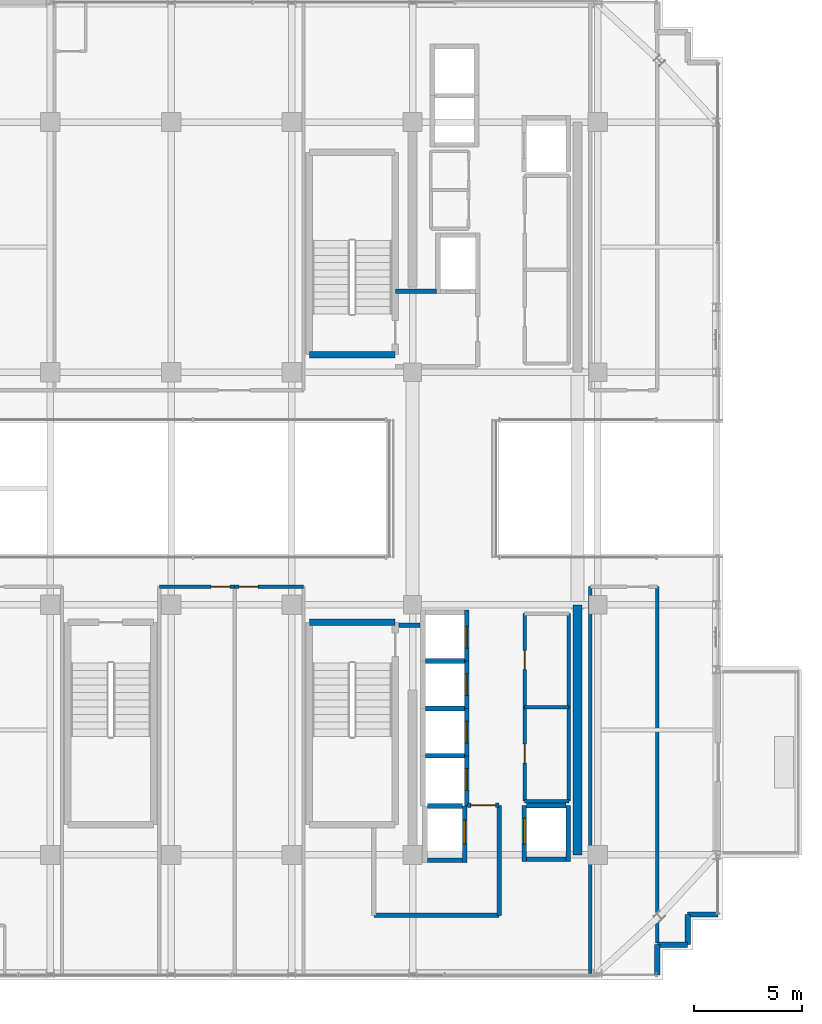
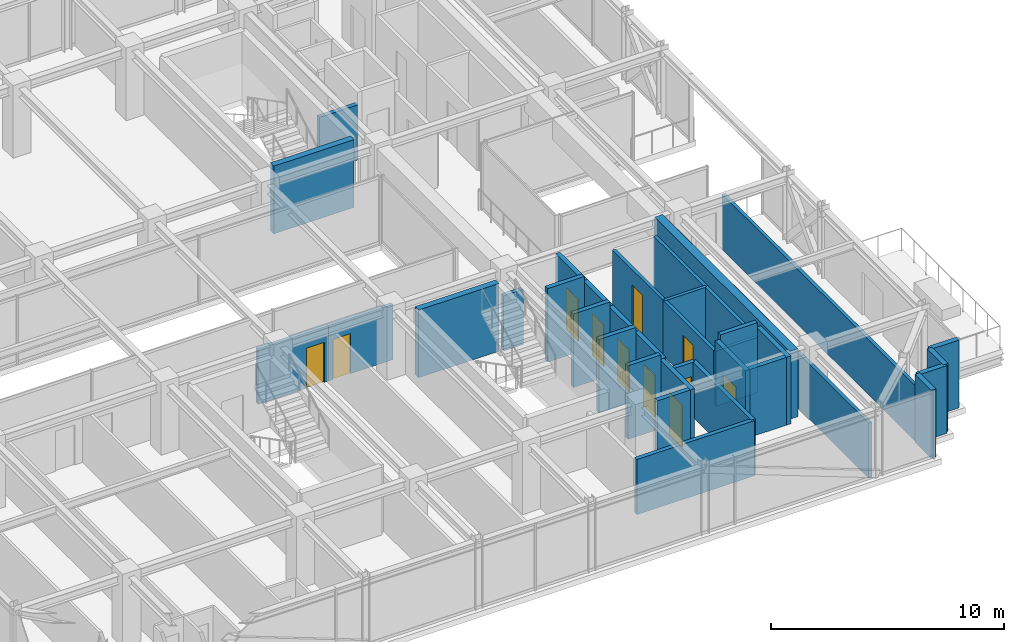
# One storey, part 33 of 39: 36 walls, 11 doors, 11 openings.
"""IFC4 building model written with IfcOpenShell, lengths in metres."""

from ifc_helpers import new_model, si_unit, direction, frame, frame_2d, origin, place, context, subcontext, project, spatial, rectangle, extrude, source, transform, mapped, material, layer, layer_set, type_object, element, fill, save


model = new_model("IFC4")

# Units and contexts
model_context = context("Model", 3, precision=1e-05, world=origin(), true_north=direction((0.0, 1.0)))
body_context = subcontext(model_context, "Body", "Model", "MODEL_VIEW")
ifc_project = project(units=[si_unit("LENGTHUNIT", "METRE"), si_unit("AREAUNIT", "SQUARE_METRE"), si_unit("VOLUMEUNIT", "CUBIC_METRE"), si_unit("PLANEANGLEUNIT", "RADIAN"), si_unit("MASSUNIT", "GRAM", prefix="KILO")], contexts=[model_context])

# Site, building, storey
site_placement = place(None, origin())
site = spatial("IfcSite", under=ifc_project, at=site_placement, CompositionType="ELEMENT")
building_placement = place(site_placement, origin())
building = spatial("IfcBuilding", under=site, at=building_placement, Name="Nahalor Promenade Grand Hotel", CompositionType="ELEMENT")
storey_placement = place(building_placement, frame((0.0, 0.0, 311.89990234375)))
storey = spatial("IfcBuildingStorey", under=building, at=storey_placement, Name="L80", CompositionType="ELEMENT", Elevation=311.89990234375)

# Walls
ifc_material_1 = material(Name="Concrete B-50 (C40/50)", Category="concrete")
ifc_layer_1 = layer(ifc_material_1, 0.39990234375)
ifc_layer_set_1 = layer_set([ifc_layer_1], Name="Concrete B-50 (C40/50)")
wall_type_1 = type_object("IfcWallType", Name="Wall-CoreShear-400", PredefinedType="SHEAR", material=ifc_layer_set_1)
shared_shape_1 = source(origin(), body_context, "Body", "SweptSolid", [
    extrude(rectangle(XDim=11.60009765625, YDim=0.39990234375, at=frame_2d((5.800048828125, 0.0))), origin(), (0.0, 0.0, 1.0), 3.550048828125),
])
wall_1_placement = place(storey_placement, frame((16.050048828125, -17.0, 0.0), z_axis=(0.0, 0.0, 1.0), x_axis=(0.0, 1.0, 0.0)))
element("IfcWall", 1, at=wall_1_placement, inside=storey, type_object=wall_type_1, Name="CWALL-L80-SE", PredefinedType="SHEAR", context=body_context, shape_type="MappedRepresentation", body=[
    mapped(shared_shape_1, transform((0.0, 0.0, 0.0), scale=1.0)),
])
ifc_layer_2 = layer(ifc_material_1, 0.300048828125)
ifc_layer_set_2 = layer_set([ifc_layer_2], Name="Concrete B-50 (C40/50)")
wall_type_2 = type_object("IfcWallType", Name="Wall-ShaftShear-300", PredefinedType="SHEAR", material=ifc_layer_set_2)
shared_shape_2 = source(origin(), body_context, "Body", "SweptSolid", [
    extrude(rectangle(XDim=3.97998046875, YDim=0.300048828125, at=frame_2d((1.989990234375, 0.0))), origin(), (0.0, 0.0, 1.0), 3.550048828125),
])
for number, where, z_axis, x_axis, name in (
    (2, (3.610107421875, 6.2099609375, 0.0), (0.0, 0.0, 1.0), (1.0, 0.0, 0.0), "L80 Exit Stair ST1 Shaft Wall S"),
    (3, (3.610107421875, -6.2099609375, 0.0), (0.0, 0.0, 1.0), (1.0, 0.0, 0.0), "L80 Exit Stair ST2 Shaft Wall N"),
):
    element("IfcWall", number, at=place(storey_placement, frame(where, z_axis=z_axis, x_axis=x_axis)), inside=storey, type_object=wall_type_2, Name=name, PredefinedType="SHEAR", context=body_context, shape_type="MappedRepresentation", body=[
        mapped(shared_shape_2, transform((0.0, 0.0, 0.0), scale=1.0)),
    ])

# Wall, opening, door
ifc_layer_3 = layer(ifc_material_1, 0.219970703125)
ifc_layer_set_3 = layer_set([ifc_layer_3], Name="Concrete B-50 (C40/50)")
wall_type_3 = type_object("IfcWallType", Name="Wall-LiftShaft-220", PredefinedType="SHEAR", material=ifc_layer_set_3)
shared_shape_3 = source(origin(), body_context, "Body", "SweptSolid", [
    extrude(rectangle(XDim=2.360107421875, YDim=0.219970703125, at=frame_2d((1.18017578125, 0.0))), origin(), (0.0, 0.0, 1.0), 3.550048828125),
])
wall_2_placement = place(storey_placement, frame((10.919921875, -8.0, 0.0), z_axis=(0.0, 0.0, 1.0), x_axis=(0.0, 1.0, 0.0)))
wall_2 = element("IfcWall", 4, at=wall_2_placement, inside=storey, type_object=wall_type_3, Name="L80 Lift PL9 Hoistway Wall E", PredefinedType="SHEAR", context=body_context, shape_type="MappedRepresentation", body=[
    mapped(shared_shape_3, transform((0.0, 0.0, 0.0), scale=1.0)),
])
opening_1_placement = place(wall_2_placement, frame((0.60009765625, 0.0, 0.0)))
opening_1 = element("IfcOpeningElement", 5, at=opening_1_placement, cuts=wall_2, Name="Opening LD-01", PredefinedType="OPENING", context=body_context, shape_type="SweptSolid", body=[
    extrude(rectangle(XDim=1.0, YDim=2.199951171875, at=frame_2d((0.5, 1.10009765625))), frame((0.0, 0.119873046875, 0.0), z_axis=(0.0, -1.0, 0.0), x_axis=(1.0, 0.0, 0.0)), (0.0, 0.0, 1.0), 0.239990234375),
])
ifc_material_2 = material(Name="Steel S355JR", Category="steel")
door_type_1 = type_object("IfcDoorType", Name="Door-LiftLanding-1000", OperationType="DOUBLE_DOOR_SLIDING", PredefinedType="DOOR", material=ifc_material_2)
shared_shape_4 = source(origin(), body_context, "Body", "SweptSolid", [
    extrude(rectangle(XDim=1.0, YDim=2.199951171875, at=frame_2d((0.5, 1.10009765625))), frame((0.0, 0.02490234375, 0.0), z_axis=(0.0, -1.0, 0.0), x_axis=(1.0, 0.0, 0.0)), (0.0, 0.0, 1.0), 0.050048828125),
])
door_1_placement = place(opening_1_placement, frame((1.0, 0.0, 0.0), z_axis=(0.0, 0.0, 1.0), x_axis=(-1.0, 0.0, 0.0)))
door_1 = element("IfcDoor", 6, at=door_1_placement, inside=storey, type_object=door_type_1, Name="DR-LIFT-PL9-L80", OperationType="DOUBLE_DOOR_SLIDING", OverallHeight=2.199951171875, OverallWidth=1.0, PredefinedType="DOOR", context=body_context, shape_type="MappedRepresentation", body=[
    mapped(shared_shape_4, transform((0.0, 0.0, 0.0), scale=1.0)),
])
fill(opening_1, door_1)

# Wall
shared_shape_5 = source(origin(), body_context, "Body", "SweptSolid", [
    extrude(rectangle(XDim=1.820068359375, YDim=0.219970703125, at=frame_2d((0.91015625, 0.0))), origin(), (0.0, 0.0, 1.0), 3.550048828125),
])
wall_3_placement = place(storey_placement, frame((13.68994140625, -17.199951171875, 0.0), z_axis=(0.0, 0.0, 1.0), x_axis=(1.0, 0.0, 0.0)))
element("IfcWall", 7, at=wall_3_placement, inside=storey, type_object=wall_type_3, Name="L80 Lift SV2 Hoistway Wall S", PredefinedType="SHEAR", context=body_context, shape_type="MappedRepresentation", body=[
    mapped(shared_shape_5, transform((0.0, 0.0, 0.0), scale=1.0)),
])

# Wall, opening, door
shared_shape_6 = source(origin(), body_context, "Body", "SweptSolid", [
    extrude(rectangle(XDim=2.199951171875, YDim=0.219970703125, at=frame_2d((1.10009765625, 0.0))), origin(), (0.0, 0.0, 1.0), 3.550048828125),
])
wall_4_placement = place(storey_placement, frame((10.919921875, -10.199951171875, 0.0), z_axis=(0.0, 0.0, 1.0), x_axis=(0.0, 1.0, 0.0)))
wall_4 = element("IfcWall", 8, at=wall_4_placement, inside=storey, type_object=wall_type_3, Name="L80 Lift PL10 Hoistway Wall E", PredefinedType="SHEAR", context=body_context, shape_type="MappedRepresentation", body=[
    mapped(shared_shape_6, transform((0.0, 0.0, 0.0), scale=1.0)),
])
opening_2_placement = place(wall_4_placement, frame((0.60009765625, 0.0, 0.0)))
opening_2 = element("IfcOpeningElement", 9, at=opening_2_placement, cuts=wall_4, Name="Opening LD-01", PredefinedType="OPENING", context=body_context, shape_type="SweptSolid", body=[
    extrude(rectangle(XDim=1.0, YDim=2.199951171875, at=frame_2d((0.5, 1.10009765625))), frame((0.0, 0.119873046875, 0.0), z_axis=(0.0, -1.0, 0.0), x_axis=(1.0, 0.0, 0.0)), (0.0, 0.0, 1.0), 0.239990234375),
])
door_2_placement = place(opening_2_placement, frame((1.0, 0.0, 0.0), z_axis=(0.0, 0.0, 1.0), x_axis=(-1.0, 0.0, 0.0)))
door_2 = element("IfcDoor", 10, at=door_2_placement, inside=storey, type_object=door_type_1, Name="DR-LIFT-PL10-L80", OperationType="DOUBLE_DOOR_SLIDING", OverallHeight=2.199951171875, OverallWidth=1.0, PredefinedType="DOOR", context=body_context, shape_type="MappedRepresentation", body=[
    mapped(shared_shape_4, transform((0.0, 0.0, 0.0), scale=1.0)),
])
fill(opening_2, door_2)

wall_5_placement = place(storey_placement, frame((10.919921875, -12.39990234375, 0.0), z_axis=(0.0, 0.0, 1.0), x_axis=(0.0, 1.0, 0.0)))
wall_5 = element("IfcWall", 11, at=wall_5_placement, inside=storey, type_object=wall_type_3, Name="L80 Lift PL11 Hoistway Wall E", PredefinedType="SHEAR", context=body_context, shape_type="MappedRepresentation", body=[
    mapped(shared_shape_6, transform((0.0, 0.0, 0.0), scale=1.0)),
])
opening_3_placement = place(wall_5_placement, frame((0.60009765625, 0.0, 0.0)))
opening_3 = element("IfcOpeningElement", 12, at=opening_3_placement, cuts=wall_5, Name="Opening LD-01", PredefinedType="OPENING", context=body_context, shape_type="SweptSolid", body=[
    extrude(rectangle(XDim=1.0, YDim=2.199951171875, at=frame_2d((0.5, 1.10009765625))), frame((0.0, 0.119873046875, 0.0), z_axis=(0.0, -1.0, 0.0), x_axis=(1.0, 0.0, 0.0)), (0.0, 0.0, 1.0), 0.239990234375),
])
door_3_placement = place(opening_3_placement, frame((1.0, 0.0, 0.0), z_axis=(0.0, 0.0, 1.0), x_axis=(-1.0, 0.0, 0.0)))
door_3 = element("IfcDoor", 13, at=door_3_placement, inside=storey, type_object=door_type_1, Name="DR-LIFT-PL11-L80", OperationType="DOUBLE_DOOR_SLIDING", OverallHeight=2.199951171875, OverallWidth=1.0, PredefinedType="DOOR", context=body_context, shape_type="MappedRepresentation", body=[
    mapped(shared_shape_4, transform((0.0, 0.0, 0.0), scale=1.0)),
])
fill(opening_3, door_3)

# Walls
shared_shape_7 = source(origin(), body_context, "Body", "SweptSolid", [
    extrude(rectangle(XDim=1.820068359375, YDim=0.219970703125, at=frame_2d((0.91015625, 0.0))), origin(), (0.0, 0.0, 1.0), 3.85009765625),
])
for number, where, z_axis, x_axis, name in (
    (14, (8.989990234375, -8.0, 0.0), (0.0, 0.0, 1.0), (1.0, 0.0, 0.0), "L80 Lift PL10 Hoistway Wall N"),
    (15, (8.989990234375, -10.199951171875, 0.0), (0.0, 0.0, 1.0), (1.0, 0.0, 0.0), "L80 Lift PL11 Hoistway Wall N"),
    (16, (8.989990234375, -12.39990234375, 0.0), (0.0, 0.0, 1.0), (1.0, 0.0, 0.0), "L80 Lift PL12 Hoistway Wall N"),
    (17, (13.68994140625, -14.699951171875, 0.0), (0.0, 0.0, 1.0), (1.0, 0.0, 0.0), "L80 Lift SV2 Hoistway Wall N"),
):
    element("IfcWall", number, at=place(storey_placement, frame(where, z_axis=z_axis, x_axis=x_axis)), inside=storey, type_object=wall_type_3, Name=name, PredefinedType="SHEAR", context=body_context, shape_type="MappedRepresentation", body=[
        mapped(shared_shape_7, transform((0.0, 0.0, 0.0), scale=1.0)),
    ])

# Wall, opening, door
shared_shape_8 = source(origin(), body_context, "Body", "SweptSolid", [
    extrude(rectangle(XDim=2.3251953125, YDim=0.219970703125, at=frame_2d((1.16259765625, 0.0))), origin(), (0.0, 0.0, 1.0), 3.550048828125),
])
wall_6_placement = place(storey_placement, frame((10.919921875, -14.72509765625, 0.0), z_axis=(0.0, 0.0, 1.0), x_axis=(0.0, 1.0, 0.0)))
wall_6 = element("IfcWall", 18, at=wall_6_placement, inside=storey, type_object=wall_type_3, Name="L80 Lift PL12 Hoistway Wall E", PredefinedType="SHEAR", context=body_context, shape_type="MappedRepresentation", body=[
    mapped(shared_shape_8, transform((0.0, 0.0, 0.0), scale=1.0)),
])
opening_4_placement = place(wall_6_placement, frame((0.72509765625, 0.0, 0.0)))
opening_4 = element("IfcOpeningElement", 19, at=opening_4_placement, cuts=wall_6, Name="Opening LD-01", PredefinedType="OPENING", context=body_context, shape_type="SweptSolid", body=[
    extrude(rectangle(XDim=1.0, YDim=2.199951171875, at=frame_2d((0.5, 1.10009765625))), frame((0.0, 0.119873046875, 0.0), z_axis=(0.0, -1.0, 0.0), x_axis=(1.0, 0.0, 0.0)), (0.0, 0.0, 1.0), 0.239990234375),
])
door_4_placement = place(opening_4_placement, frame((1.0, 0.0, 0.0), z_axis=(0.0, 0.0, 1.0), x_axis=(-1.0, 0.0, 0.0)))
door_4 = element("IfcDoor", 20, at=door_4_placement, inside=storey, type_object=door_type_1, Name="DR-LIFT-PL12-L80", OperationType="DOUBLE_DOOR_SLIDING", OverallHeight=2.199951171875, OverallWidth=1.0, PredefinedType="DOOR", context=body_context, shape_type="MappedRepresentation", body=[
    mapped(shared_shape_4, transform((0.0, 0.0, 0.0), scale=1.0)),
])
fill(opening_4, door_4)

shared_shape_9 = source(origin(), body_context, "Body", "SweptSolid", [
    extrude(rectangle(XDim=2.635009765625, YDim=0.219970703125, at=frame_2d((1.3173828125, 0.0))), origin(), (0.0, 0.0, 1.0), 3.550048828125),
])
wall_7_placement = place(storey_placement, frame((10.820068359375, -17.360107421875, 0.0), z_axis=(0.0, 0.0, 1.0), x_axis=(0.0, 1.0, 0.0)))
wall_7 = element("IfcWall", 21, at=wall_7_placement, inside=storey, type_object=wall_type_3, Name="L80 Lift FL2 Hoistway Wall E", PredefinedType="SHEAR", context=body_context, shape_type="MappedRepresentation", body=[
    mapped(shared_shape_9, transform((0.0, 0.0, 0.0), scale=1.0)),
])
opening_5_placement = place(wall_7_placement, frame((0.860107421875, 0.0, 0.0)))
opening_5 = element("IfcOpeningElement", 22, at=opening_5_placement, cuts=wall_7, Name="Opening LD-02", PredefinedType="OPENING", context=body_context, shape_type="SweptSolid", body=[
    extrude(rectangle(XDim=1.10009765625, YDim=2.199951171875, at=frame_2d((0.550048828125, 1.10009765625))), frame((0.0, 0.119873046875, 0.0), z_axis=(0.0, -1.0, 0.0), x_axis=(1.0, 0.0, 0.0)), (0.0, 0.0, 1.0), 0.239990234375),
])
door_type_2 = type_object("IfcDoorType", Name="Door-LiftFF-1100", OperationType="DOUBLE_DOOR_SLIDING", PredefinedType="DOOR", material=ifc_material_2)
shared_shape_10 = source(origin(), body_context, "Body", "SweptSolid", [
    extrude(rectangle(XDim=1.10009765625, YDim=2.199951171875, at=frame_2d((0.550048828125, 1.10009765625))), frame((0.0, 0.02490234375, 0.0), z_axis=(0.0, -1.0, 0.0), x_axis=(1.0, 0.0, 0.0)), (0.0, 0.0, 1.0), 0.050048828125),
])
door_5_placement = place(opening_5_placement, frame((1.10009765625, 0.0, 0.0), z_axis=(0.0, 0.0, 1.0), x_axis=(-1.0, 0.0, 0.0)))
door_5 = element("IfcDoor", 23, at=door_5_placement, inside=storey, type_object=door_type_2, Name="DR-LIFT-FL2-L80", OperationType="DOUBLE_DOOR_SLIDING", OverallHeight=2.199951171875, OverallWidth=1.10009765625, PredefinedType="DOOR", context=body_context, shape_type="MappedRepresentation", body=[
    mapped(shared_shape_10, transform((0.0, 0.0, 0.0), scale=1.0)),
])
fill(opening_5, door_5)

# Walls
shared_shape_11 = source(origin(), body_context, "Body", "SweptSolid", [
    extrude(rectangle(XDim=1.619873046875, YDim=0.219970703125, at=frame_2d((0.81005859375, 0.0))), origin(), (0.0, 0.0, 1.0), 3.550048828125),
])
wall_8_placement = place(storey_placement, frame((9.090087890625, -17.25, 0.0), z_axis=(0.0, 0.0, 1.0), x_axis=(1.0, 0.0, 0.0)))
element("IfcWall", 24, at=wall_8_placement, inside=storey, type_object=wall_type_3, Name="L80 Lift FL2 Hoistway Wall S", PredefinedType="SHEAR", context=body_context, shape_type="MappedRepresentation", body=[
    mapped(shared_shape_11, transform((0.0, 0.0, 0.0), scale=1.0)),
])
shared_shape_12 = source(origin(), body_context, "Body", "SweptSolid", [
    extrude(rectangle(XDim=1.619873046875, YDim=0.219970703125, at=frame_2d((0.81005859375, 0.0))), origin(), (0.0, 0.0, 1.0), 3.85009765625),
])
wall_9_placement = place(storey_placement, frame((9.090087890625, -14.72509765625, 0.0), z_axis=(0.0, 0.0, 1.0), x_axis=(1.0, 0.0, 0.0)))
element("IfcWall", 25, at=wall_9_placement, inside=storey, type_object=wall_type_3, Name="L80 Lift FL2 Hoistway Wall N", PredefinedType="SHEAR", context=body_context, shape_type="MappedRepresentation", body=[
    mapped(shared_shape_12, transform((0.0, 0.0, 0.0), scale=1.0)),
])

# Wall, opening, door
shared_shape_13 = source(origin(), body_context, "Body", "SweptSolid", [
    extrude(rectangle(XDim=2.610107421875, YDim=0.219970703125, at=frame_2d((1.30517578125, 0.0))), origin(), (0.0, 0.0, 1.0), 3.550048828125),
])
wall_10_placement = place(storey_placement, frame((13.580078125, -17.31005859375, 0.0), z_axis=(0.0, 0.0, 1.0), x_axis=(0.0, 1.0, 0.0)))
wall_10 = element("IfcWall", 26, at=wall_10_placement, inside=storey, type_object=wall_type_3, Name="L80 Lift SV2 Hoistway Wall W", PredefinedType="SHEAR", context=body_context, shape_type="MappedRepresentation", body=[
    mapped(shared_shape_13, transform((0.0, 0.0, 0.0), scale=1.0)),
])
opening_6_placement = place(wall_10_placement, frame((0.81005859375, 0.0, 0.0)))
opening_6 = element("IfcOpeningElement", 27, at=opening_6_placement, cuts=wall_10, Name="Opening LD-03", PredefinedType="OPENING", context=body_context, shape_type="SweptSolid", body=[
    extrude(rectangle(XDim=1.199951171875, YDim=2.199951171875, at=frame_2d((0.60009765625, 1.10009765625))), frame((0.0, 0.119873046875, 0.0), z_axis=(0.0, -1.0, 0.0), x_axis=(1.0, 0.0, 0.0)), (0.0, 0.0, 1.0), 0.239990234375),
])
door_type_3 = type_object("IfcDoorType", Name="Door-LiftService-1200", OperationType="DOUBLE_DOOR_SLIDING", PredefinedType="DOOR", material=ifc_material_2)
shared_shape_14 = source(origin(), body_context, "Body", "SweptSolid", [
    extrude(rectangle(XDim=1.199951171875, YDim=2.199951171875, at=frame_2d((0.60009765625, 1.10009765625))), frame((0.0, 0.02490234375, 0.0), z_axis=(0.0, -1.0, 0.0), x_axis=(1.0, 0.0, 0.0)), (0.0, 0.0, 1.0), 0.050048828125),
])
door_6_placement = place(opening_6_placement, origin())
door_6 = element("IfcDoor", 28, at=door_6_placement, inside=storey, type_object=door_type_3, Name="DR-LIFT-SV2-L80", OperationType="DOUBLE_DOOR_SLIDING", OverallHeight=2.199951171875, OverallWidth=1.199951171875, PredefinedType="DOOR", context=body_context, shape_type="MappedRepresentation", body=[
    mapped(shared_shape_14, transform((0.0, 0.0, 0.0), scale=1.0)),
])
fill(opening_6, door_6)

# Walls
wall_11_placement = place(storey_placement, frame((15.6201171875, -17.31005859375, 0.0), z_axis=(0.0, 0.0, 1.0), x_axis=(0.0, 1.0, 0.0)))
element("IfcWall", 29, at=wall_11_placement, inside=storey, type_object=wall_type_3, Name="L80 Lift SV2 Hoistway Wall E", PredefinedType="SHEAR", context=body_context, shape_type="MappedRepresentation", body=[
    mapped(shared_shape_13, transform((0.0, 0.0, 0.0), scale=1.0)),
])
ifc_material_3 = material(Name="Concrete B-40 (C32/40)", Category="concrete")
ifc_layer_4 = layer(ifc_material_3, 0.25)
ifc_layer_set_4 = layer_set([ifc_layer_4], Name="Concrete B-40 (C32/40)")
wall_type_4 = type_object("IfcWallType", Name="Wall-BronzePier-250", PredefinedType="STANDARD", material=ifc_layer_set_4)
shared_shape_15 = source(origin(), body_context, "Body", "SweptSolid", [
    extrude(rectangle(XDim=1.400146484375, YDim=0.25, at=frame_2d((0.7001953125, 0.0))), origin(), (0.0, 0.0, 1.0), 3.550048828125),
])
for number, where, z_axis, x_axis, name in (
    (30, (19.760009765625, -22.56005859375, 0.0), (0.0, 0.0, 1.0), (0.0, 1.0, 0.0), "W-L80-SR-01"),
    (31, (21.159912109375, -19.760009765625, 0.0), (0.0, 0.0, 1.0), (1.0, 0.0, 0.0), "W-L80-SR-04"),
):
    element("IfcWall", number, at=place(storey_placement, frame(where, z_axis=z_axis, x_axis=x_axis)), inside=storey, type_object=wall_type_4, Name=name, PredefinedType="STANDARD", context=body_context, shape_type="MappedRepresentation", body=[
        mapped(shared_shape_15, transform((0.0, 0.0, 0.0), scale=1.0)),
    ])
shared_shape_16 = source(origin(), body_context, "Body", "SweptSolid", [
    extrude(rectangle(XDim=1.39990234375, YDim=0.25, at=frame_2d((0.699951171875, 0.0))), origin(), (0.0, 0.0, 1.0), 3.550048828125),
])
for number, where, z_axis, x_axis, name in (
    (32, (19.760009765625, -21.159912109375, 0.0), (0.0, 0.0, 1.0), (1.0, 0.0, 0.0), "W-L80-SR-02"),
    (33, (21.159912109375, -21.159912109375, 0.0), (0.0, 0.0, 1.0), (0.0, 1.0, 0.0), "W-L80-SR-03"),
):
    element("IfcWall", number, at=place(storey_placement, frame(where, z_axis=z_axis, x_axis=x_axis)), inside=storey, type_object=wall_type_4, Name=name, PredefinedType="STANDARD", context=body_context, shape_type="MappedRepresentation", body=[
        mapped(shared_shape_16, transform((0.0, 0.0, 0.0), scale=1.0)),
    ])
ifc_layer_5 = layer(ifc_material_3, 0.199951171875)
ifc_layer_set_5 = layer_set([ifc_layer_5], Name="Concrete B-40 (C32/40)")
wall_type_5 = type_object("IfcWallType", Name="Wall-PartFire-200", PredefinedType="PARTITIONING", material=ifc_layer_set_5)
shared_shape_17 = source(origin(), body_context, "Body", "SweptSolid", [
    extrude(rectangle(XDim=1.89990234375, YDim=0.199951171875, at=frame_2d((0.949951171875, 0.0))), origin(), (0.0, 0.0, 1.0), 2.89013671875),
])
wall_12_placement = place(storey_placement, frame((7.60009765625, 9.14990234375, 0.0), z_axis=(0.0, 0.0, 1.0), x_axis=(1.0, 0.0, 0.0)))
element("IfcWall", 34, at=wall_12_placement, inside=storey, type_object=wall_type_5, Name="W-L80-FF1-N", PredefinedType="PARTITIONING", context=body_context, shape_type="MappedRepresentation", body=[
    mapped(shared_shape_17, transform((0.0, 0.0, 0.0), scale=1.0)),
])
shared_shape_18 = source(origin(), body_context, "Body", "SweptSolid", [
    extrude(rectangle(XDim=5.81982421875, YDim=0.199951171875, at=frame_2d((2.909912109375, 0.0))), origin(), (0.0, 0.0, 1.0), 2.89013671875),
])
wall_13_placement = place(storey_placement, frame((6.60009765625, -19.800048828125, 0.0), z_axis=(0.0, 0.0, 1.0), x_axis=(1.0, 0.0, 0.0)))
element("IfcWall", 35, at=wall_13_placement, inside=storey, type_object=wall_type_5, Name="W-L80-FF2-S1", PredefinedType="PARTITIONING", context=body_context, shape_type="MappedRepresentation", body=[
    mapped(shared_shape_18, transform((0.0, 0.0, 0.0), scale=1.0)),
])
shared_shape_19 = source(origin(), body_context, "Body", "SweptSolid", [
    extrude(rectangle(XDim=5.10009765625, YDim=0.199951171875, at=frame_2d((2.550048828125, 0.0))), origin(), (0.0, 0.0, 1.0), 2.89013671875),
])
wall_14_placement = place(storey_placement, frame((12.419921875, -19.800048828125, 0.0), z_axis=(0.0, 0.0, 1.0), x_axis=(0.0, 1.0, 0.0)))
element("IfcWall", 36, at=wall_14_placement, inside=storey, type_object=wall_type_5, Name="W-L80-FF2-E", PredefinedType="PARTITIONING", context=body_context, shape_type="MappedRepresentation", body=[
    mapped(shared_shape_19, transform((0.0, 0.0, 0.0), scale=1.0)),
])

# Wall, opening, door
shared_shape_20 = source(origin(), body_context, "Body", "SweptSolid", [
    extrude(rectangle(XDim=1.4599609375, YDim=0.199951171875, at=frame_2d((0.72998046875, 0.0))), origin(), (0.0, 0.0, 1.0), 2.89013671875),
])
wall_15_placement = place(storey_placement, frame((10.9599609375, -14.699951171875, 0.0), z_axis=(0.0, 0.0, 1.0), x_axis=(1.0, 0.0, 0.0)))
wall_15 = element("IfcWall", 37, at=wall_15_placement, inside=storey, type_object=wall_type_5, Name="W-L80-FF2-N1", PredefinedType="PARTITIONING", context=body_context, shape_type="MappedRepresentation", body=[
    mapped(shared_shape_20, transform((0.0, 0.0, 0.0), scale=1.0)),
])
opening_7_placement = place(wall_15_placement, frame((0.14501953125, 0.0, 0.0)))
opening_7 = element("IfcOpeningElement", 38, at=opening_7_placement, cuts=wall_15, Name="Opening D-FF1", PredefinedType="OPENING", context=body_context, shape_type="SweptSolid", body=[
    extrude(rectangle(XDim=1.14990234375, YDim=2.14990234375, at=frame_2d((0.574951171875, 1.074951171875))), frame((0.0, 0.10986328125, 0.0), z_axis=(0.0, -1.0, 0.0), x_axis=(1.0, 0.0, 0.0)), (0.0, 0.0, 1.0), 0.219970703125),
])
door_type_4 = type_object("IfcDoorType", Name="Door-FFLobby-1150", OperationType="NOTDEFINED", PredefinedType="DOOR", material=ifc_material_2)
shared_shape_21 = source(origin(), body_context, "Body", "SweptSolid", [
    extrude(rectangle(XDim=1.14990234375, YDim=2.14990234375, at=frame_2d((0.574951171875, 1.074951171875))), frame((0.0, 0.02490234375, 0.0), z_axis=(0.0, -1.0, 0.0), x_axis=(1.0, 0.0, 0.0)), (0.0, 0.0, 1.0), 0.050048828125),
])
door_7_placement = place(opening_7_placement, origin())
door_7 = element("IfcDoor", 39, at=door_7_placement, inside=storey, type_object=door_type_4, Name="DR-L80-FFL2", OperationType="SINGLE_SWING_LEFT", OverallHeight=2.14990234375, OverallWidth=1.14990234375, PredefinedType="DOOR", context=body_context, shape_type="MappedRepresentation", body=[
    mapped(shared_shape_21, transform((0.0, 0.0, 0.0), scale=1.0)),
])
fill(opening_7, door_7)

# Walls
shared_shape_22 = source(origin(), body_context, "Body", "SweptSolid", [
    extrude(rectangle(XDim=0.969970703125, YDim=0.199951171875, at=frame_2d((0.48486328125, 0.0))), origin(), (0.0, 0.0, 1.0), 2.89013671875),
])
wall_16_placement = place(storey_placement, frame((7.77001953125, -6.35009765625, 0.0), z_axis=(0.0, 0.0, 1.0), x_axis=(1.0, 0.0, 0.0)))
element("IfcWall", 40, at=wall_16_placement, inside=storey, type_object=wall_type_5, Name="W-L80-FF2-N2", PredefinedType="PARTITIONING", context=body_context, shape_type="MappedRepresentation", body=[
    mapped(shared_shape_22, transform((0.0, 0.0, 0.0), scale=1.0)),
])
ifc_material_4 = material(Name="Acoustic Mineral Gypsum", Category="gypsum")
ifc_layer_6 = layer(ifc_material_4, 0.159912109375)
ifc_layer_set_6 = layer_set([ifc_layer_6], Name="Acoustic Mineral Gypsum")
wall_type_6 = type_object("IfcWallType", Name="Wall-PartCorridor-160", PredefinedType="PARTITIONING", material=ifc_layer_set_6)
shared_shape_23 = source(origin(), body_context, "Body", "SweptSolid", [
    extrude(rectangle(XDim=2.0498046875, YDim=0.159912109375, at=frame_2d((1.02490234375, 0.0))), origin(), (0.0, 0.0, 1.0), 2.89013671875),
])
for number, where, z_axis, x_axis, name in (
    (41, (13.60009765625, -14.5, 0.0), (0.0, 0.0, 1.0), (1.0, 0.0, 0.0), "W-L80-FRB2A-S"),
    (42, (13.60009765625, -10.14990234375, 0.0), (0.0, 0.0, 1.0), (1.0, 0.0, 0.0), "W-L80-FRB2A-N"),
):
    element("IfcWall", number, at=place(storey_placement, frame(where, z_axis=z_axis, x_axis=x_axis)), inside=storey, type_object=wall_type_6, Name=name, PredefinedType="PARTITIONING", context=body_context, shape_type="MappedRepresentation", body=[
        mapped(shared_shape_23, transform((0.0, 0.0, 0.0), scale=1.0)),
    ])
shared_shape_24 = source(origin(), body_context, "Body", "SweptSolid", [
    extrude(rectangle(XDim=17.949951171875, YDim=0.159912109375, at=frame_2d((8.97509765625, 0.0))), origin(), (0.0, 0.0, 1.0), 2.89013671875),
])
wall_17_placement = place(storey_placement, frame((16.64990234375, -22.5, 0.0), z_axis=(0.0, 0.0, 1.0), x_axis=(0.0, 1.0, 0.0)))
element("IfcWall", 43, at=wall_17_placement, inside=storey, type_object=wall_type_6, Name="W-L80-ESE-W", PredefinedType="PARTITIONING", context=body_context, shape_type="MappedRepresentation", body=[
    mapped(shared_shape_24, transform((0.0, 0.0, 0.0), scale=1.0)),
])
shared_shape_25 = source(origin(), body_context, "Body", "SweptSolid", [
    extrude(rectangle(XDim=16.530029296875, YDim=0.159912109375, at=frame_2d((8.26513671875, 0.0))), origin(), (0.0, 0.0, 1.0), 2.89013671875),
])
wall_18_placement = place(storey_placement, frame((19.760009765625, -21.080078125, 0.0), z_axis=(0.0, 0.0, 1.0), x_axis=(0.0, 1.0, 0.0)))
element("IfcWall", 44, at=wall_18_placement, inside=storey, type_object=wall_type_6, Name="W-L80-ESE-E", PredefinedType="PARTITIONING", context=body_context, shape_type="MappedRepresentation", body=[
    mapped(shared_shape_25, transform((0.0, 0.0, 0.0), scale=1.0)),
])

# Wall, opening, door
shared_shape_26 = source(origin(), body_context, "Body", "SweptSolid", [
    extrude(rectangle(XDim=3.489990234375, YDim=0.159912109375, at=frame_2d((1.7451171875, 0.0))), origin(), (0.0, 0.0, 1.0), 2.89013671875),
])
wall_19_placement = place(storey_placement, frame((-3.340087890625, -4.550048828125, 0.0), z_axis=(0.0, 0.0, 1.0), x_axis=(1.0, 0.0, 0.0)))
wall_19 = element("IfcWall", 45, at=wall_19_placement, inside=storey, type_object=wall_type_6, Name="W-L80-SCB1-N", PredefinedType="PARTITIONING", context=body_context, shape_type="MappedRepresentation", body=[
    mapped(shared_shape_26, transform((0.0, 0.0, 0.0), scale=1.0)),
])
opening_8_placement = place(wall_19_placement, frame((2.39990234375, 0.0, 0.0)))
opening_8 = element("IfcOpeningElement", 46, at=opening_8_placement, cuts=wall_19, Name="Opening D-03", PredefinedType="OPENING", context=body_context, shape_type="SweptSolid", body=[
    extrude(rectangle(XDim=0.8798828125, YDim=2.10009765625, at=frame_2d((0.43994140625, 1.050048828125))), frame((0.0, 0.08984375, 0.0), z_axis=(0.0, -1.0, 0.0), x_axis=(1.0, 0.0, 0.0)), (0.0, 0.0, 1.0), 0.179931640625),
])
ifc_material_5 = material(Name="Fire-Rated Timber Composite", Category="wood")
door_type_5 = type_object("IfcDoorType", Name="Door-BathSwing-880", OperationType="NOTDEFINED", PredefinedType="DOOR", material=ifc_material_5)
shared_shape_27 = source(origin(), body_context, "Body", "SweptSolid", [
    extrude(rectangle(XDim=0.8798828125, YDim=2.10009765625, at=frame_2d((0.43994140625, 1.050048828125))), frame((0.0, 0.02490234375, 0.0), z_axis=(0.0, -1.0, 0.0), x_axis=(1.0, 0.0, 0.0)), (0.0, 0.0, 1.0), 0.050048828125),
])
door_8_placement = place(opening_8_placement, frame((0.8798828125, 0.0, 0.0), z_axis=(0.0, 0.0, 1.0), x_axis=(-1.0, 0.0, 0.0)))
door_8 = element("IfcDoor", 47, at=door_8_placement, inside=storey, type_object=door_type_5, Name="DR-L80-SCB1", OperationType="SINGLE_SWING_RIGHT", OverallHeight=2.10009765625, OverallWidth=0.8798828125, PredefinedType="DOOR", context=body_context, shape_type="MappedRepresentation", body=[
    mapped(shared_shape_27, transform((0.0, 0.0, 0.0), scale=1.0)),
])
fill(opening_8, door_8)

shared_shape_28 = source(origin(), body_context, "Body", "SweptSolid", [
    extrude(rectangle(XDim=3.190185546875, YDim=0.159912109375, at=frame_2d((1.59521484375, 0.0))), origin(), (0.0, 0.0, 1.0), 2.89013671875),
])
wall_20_placement = place(storey_placement, frame((0.14990234375, -4.550048828125, 0.0), z_axis=(0.0, 0.0, 1.0), x_axis=(1.0, 0.0, 0.0)))
wall_20 = element("IfcWall", 48, at=wall_20_placement, inside=storey, type_object=wall_type_6, Name="W-L80-SCB2-N", PredefinedType="PARTITIONING", context=body_context, shape_type="MappedRepresentation", body=[
    mapped(shared_shape_28, transform((0.0, 0.0, 0.0), scale=1.0)),
])
opening_9_placement = place(wall_20_placement, frame((0.2099609375, 0.0, 0.0)))
opening_9 = element("IfcOpeningElement", 49, at=opening_9_placement, cuts=wall_20, Name="Opening D-03", PredefinedType="OPENING", context=body_context, shape_type="SweptSolid", body=[
    extrude(rectangle(XDim=0.8798828125, YDim=2.10009765625, at=frame_2d((0.43994140625, 1.050048828125))), frame((0.0, 0.08984375, 0.0), z_axis=(0.0, -1.0, 0.0), x_axis=(1.0, 0.0, 0.0)), (0.0, 0.0, 1.0), 0.179931640625),
])
door_9_placement = place(opening_9_placement, frame((0.8798828125, 0.0, 0.0), z_axis=(0.0, 0.0, 1.0), x_axis=(-1.0, 0.0, 0.0)))
door_9 = element("IfcDoor", 50, at=door_9_placement, inside=storey, type_object=door_type_5, Name="DR-L80-SCB2", OperationType="SINGLE_SWING_LEFT", OverallHeight=2.10009765625, OverallWidth=0.8798828125, PredefinedType="DOOR", context=body_context, shape_type="MappedRepresentation", body=[
    mapped(shared_shape_27, transform((0.0, 0.0, 0.0), scale=1.0)),
])
fill(opening_9, door_9)

shared_shape_29 = source(origin(), body_context, "Body", "SweptSolid", [
    extrude(rectangle(XDim=4.349853515625, YDim=0.159912109375, at=frame_2d((2.1748046875, 0.0))), origin(), (0.0, 0.0, 1.0), 2.89013671875),
])
wall_21_placement = place(storey_placement, frame((13.60009765625, -10.14990234375, 0.0), z_axis=(0.0, 0.0, 1.0), x_axis=(0.0, 1.0, 0.0)))
wall_21 = element("IfcWall", 51, at=wall_21_placement, inside=storey, type_object=wall_type_6, Name="W-L80-FRB2B-W", PredefinedType="PARTITIONING", context=body_context, shape_type="MappedRepresentation", body=[
    mapped(shared_shape_29, transform((0.0, 0.0, 0.0), scale=1.0)),
])
opening_10_placement = place(wall_21_placement, frame((1.760009765625, 0.0, 0.0)))
opening_10 = element("IfcOpeningElement", 52, at=opening_10_placement, cuts=wall_21, Name="Opening D-03", PredefinedType="OPENING", context=body_context, shape_type="SweptSolid", body=[
    extrude(rectangle(XDim=0.8798828125, YDim=2.10009765625, at=frame_2d((0.43994140625, 1.050048828125))), frame((0.0, 0.08984375, 0.0), z_axis=(0.0, -1.0, 0.0), x_axis=(1.0, 0.0, 0.0)), (0.0, 0.0, 1.0), 0.179931640625),
])
door_10_placement = place(opening_10_placement, frame((0.8798828125, 0.0, 0.0), z_axis=(0.0, 0.0, 1.0), x_axis=(-1.0, 0.0, 0.0)))
door_10 = element("IfcDoor", 53, at=door_10_placement, inside=storey, type_object=door_type_5, Name="DR-L80-FRB2B", OperationType="SINGLE_SWING_LEFT", OverallHeight=2.10009765625, OverallWidth=0.8798828125, PredefinedType="DOOR", context=body_context, shape_type="MappedRepresentation", body=[
    mapped(shared_shape_27, transform((0.0, 0.0, 0.0), scale=1.0)),
])
fill(opening_10, door_10)

# Wall
wall_22_placement = place(storey_placement, frame((15.64990234375, -10.14990234375, 0.0), z_axis=(0.0, 0.0, 1.0), x_axis=(0.0, 1.0, 0.0)))
element("IfcWall", 54, at=wall_22_placement, inside=storey, type_object=wall_type_6, Name="W-L80-FRB2B-E", PredefinedType="PARTITIONING", context=body_context, shape_type="MappedRepresentation", body=[
    mapped(shared_shape_29, transform((0.0, 0.0, 0.0), scale=1.0)),
])

# Wall, opening, door
shared_shape_30 = source(origin(), body_context, "Body", "SweptSolid", [
    extrude(rectangle(XDim=4.35009765625, YDim=0.159912109375, at=frame_2d((2.175048828125, 0.0))), origin(), (0.0, 0.0, 1.0), 2.89013671875),
])
wall_23_placement = place(storey_placement, frame((13.60009765625, -14.5, 0.0), z_axis=(0.0, 0.0, 1.0), x_axis=(0.0, 1.0, 0.0)))
wall_23 = element("IfcWall", 55, at=wall_23_placement, inside=storey, type_object=wall_type_6, Name="W-L80-FRB2A-W", PredefinedType="PARTITIONING", context=body_context, shape_type="MappedRepresentation", body=[
    mapped(shared_shape_30, transform((0.0, 0.0, 0.0), scale=1.0)),
])
opening_11_placement = place(wall_23_placement, frame((1.760009765625, 0.0, 0.0)))
opening_11 = element("IfcOpeningElement", 56, at=opening_11_placement, cuts=wall_23, Name="Opening D-03", PredefinedType="OPENING", context=body_context, shape_type="SweptSolid", body=[
    extrude(rectangle(XDim=0.8798828125, YDim=2.10009765625, at=frame_2d((0.43994140625, 1.050048828125))), frame((0.0, 0.08984375, 0.0), z_axis=(0.0, -1.0, 0.0), x_axis=(1.0, 0.0, 0.0)), (0.0, 0.0, 1.0), 0.179931640625),
])
door_11_placement = place(opening_11_placement, frame((0.8798828125, 0.0, 0.0), z_axis=(0.0, 0.0, 1.0), x_axis=(-1.0, 0.0, 0.0)))
door_11 = element("IfcDoor", 57, at=door_11_placement, inside=storey, type_object=door_type_5, Name="DR-L80-FRB2A", OperationType="SINGLE_SWING_RIGHT", OverallHeight=2.10009765625, OverallWidth=0.8798828125, PredefinedType="DOOR", context=body_context, shape_type="MappedRepresentation", body=[
    mapped(shared_shape_27, transform((0.0, 0.0, 0.0), scale=1.0)),
])
fill(opening_11, door_11)

# Wall
wall_24_placement = place(storey_placement, frame((15.64990234375, -14.5, 0.0), z_axis=(0.0, 0.0, 1.0), x_axis=(0.0, 1.0, 0.0)))
element("IfcWall", 58, at=wall_24_placement, inside=storey, type_object=wall_type_6, Name="W-L80-FRB2A-E", PredefinedType="PARTITIONING", context=body_context, shape_type="MappedRepresentation", body=[
    mapped(shared_shape_30, transform((0.0, 0.0, 0.0), scale=1.0)),
])

save(model, "model.ifc")
